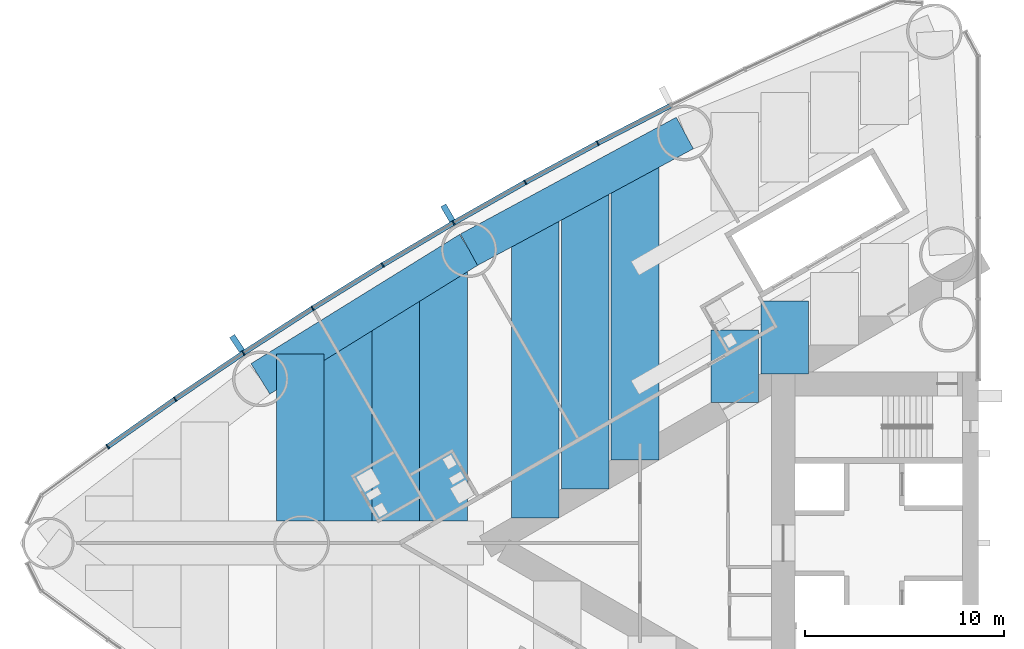
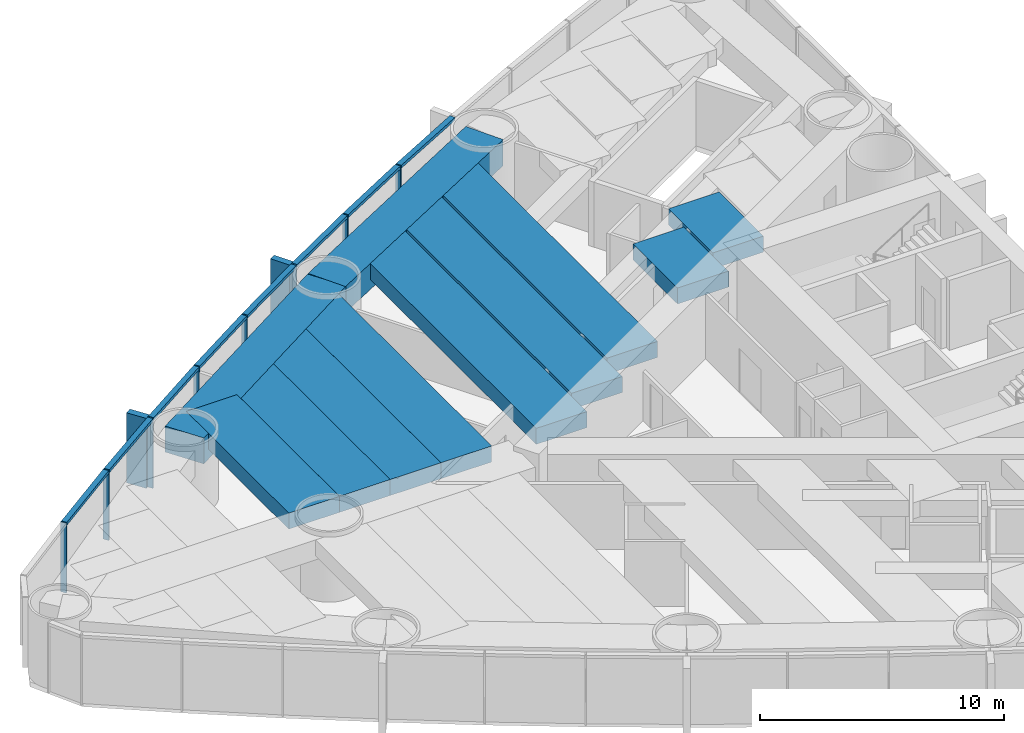
# One storey, part 4 of 19: 18 members, 11 beams, 1 element without a shape of its own.
"""IFC4 building model written with IfcOpenShell, lengths in metres."""

from ifc_helpers import new_model, si_unit, direction, frame, origin, origin_2d, place, context, subcontext, project, spatial, rectangle, extrude, material, material_profile, profile_set, type_object, element, aggregate, save


model = new_model("IFC4")

# Units and contexts
model_context = context("Model", 3, precision=1e-05, world=origin(), true_north=direction((0.0, 1.0)))
body_context = subcontext(model_context, "Body", "Model", "MODEL_VIEW")
ifc_project = project(units=[si_unit("LENGTHUNIT", "METRE"), si_unit("AREAUNIT", "SQUARE_METRE"), si_unit("VOLUMEUNIT", "CUBIC_METRE"), si_unit("PLANEANGLEUNIT", "RADIAN"), si_unit("MASSUNIT", "GRAM", prefix="KILO")], contexts=[model_context])

# Site, building, storey
site_placement = place(None, origin())
site = spatial("IfcSite", under=ifc_project, at=site_placement, CompositionType="ELEMENT")
building_placement = place(site_placement, origin())
building = spatial("IfcBuilding", under=site, at=building_placement, Name="Lancet Gate Hotel", CompositionType="ELEMENT")
storey_placement = place(building_placement, frame((0.0, 0.0, 32.0)))
storey = spatial("IfcBuildingStorey", under=building, at=storey_placement, Name="L07", CompositionType="ELEMENT", Elevation=32.0)

# Curtain wall, members
ifc_material_1 = material(Name="Aluminium curtain wall", Category="aluminium")
curtain_wall_type = type_object("IfcCurtainWallType", Name="Tower unitised curtain wall", PredefinedType="USERDEFINED", material=ifc_material_1)
curtain_wall_placement = place(storey_placement, origin())
curtain_wall = element("IfcCurtainWall", 1, at=curtain_wall_placement, inside=storey, type_object=curtain_wall_type, Name="T1 L07 curtain wall 2", ObjectType="UNITISED CURTAIN WALL", PredefinedType="USERDEFINED")
ifc_material_2 = material(Name="Aluminium mullion", Category="aluminium")
ifc_material_profile_1 = material_profile(ifc_material_2, rectangle(XDim=0.06494140625, YDim=0.25, at=origin_2d()), Name="MULLION 65x250")
ifc_profile_set_1 = profile_set([ifc_material_profile_1], Name="Aluminium mullion")
member_type_1 = type_object("IfcMemberType", Name="Aluminium mullion 65x250", PredefinedType="MULLION", material=ifc_profile_set_1)
member_1_placement = place(storey_placement, frame((-46.6220703125, 20.094970703125, 0.0), z_axis=(0.0, 0.0, 1.0), x_axis=(-0.884311132302, -0.466898084475, 0.0)))
member_1 = element("IfcMember", 2, at=member_1_placement, type_object=member_type_1, Name="T1 L07 curtain wall 2 mullion 6", PredefinedType="MULLION", context=body_context, shape_type="SweptSolid", body=[
    extrude(rectangle(XDim=0.06494140625, YDim=0.25, at=origin_2d()), origin(), (0.0, 0.0, 1.0), 3.5),
])
member_2_placement = place(storey_placement, frame((-50.26416015625, 18.1259765625, 0.0), z_axis=(0.0, 0.0, 1.0), x_axis=(-0.874991035403, -0.484139120464, 0.0)))
member_2 = element("IfcMember", 3, at=member_2_placement, type_object=member_type_1, Name="T1 L07 curtain wall 2 mullion 7", PredefinedType="MULLION", context=body_context, shape_type="SweptSolid", body=[
    extrude(rectangle(XDim=0.06494140625, YDim=0.25, at=origin_2d()), origin(), (0.0, 0.0, 1.0), 3.5),
])
member_3_placement = place(storey_placement, frame((-53.866943359375, 16.086181640625, 0.0), z_axis=(0.0, 0.0, 1.0), x_axis=(-0.86533483912, -0.501194190115, 0.0)))
member_3 = element("IfcMember", 4, at=member_3_placement, type_object=member_type_1, Name="T1 L07 curtain wall 2 mullion 8", PredefinedType="MULLION", context=body_context, shape_type="SweptSolid", body=[
    extrude(rectangle(XDim=0.06494140625, YDim=0.25, at=origin_2d()), origin(), (0.0, 0.0, 1.0), 3.5),
])
member_4_placement = place(storey_placement, frame((-57.42919921875, 13.97607421875, 0.0), z_axis=(0.0, 0.0, 1.0), x_axis=(-0.855346252548, -0.518056742309, 0.0)))
member_4 = element("IfcMember", 5, at=member_4_placement, type_object=member_type_1, Name="T1 L07 curtain wall 2 mullion 9", PredefinedType="MULLION", context=body_context, shape_type="SweptSolid", body=[
    extrude(rectangle(XDim=0.06494140625, YDim=0.25, at=origin_2d()), origin(), (0.0, 0.0, 1.0), 3.5),
])
member_5_placement = place(storey_placement, frame((-60.949462890625, 11.796630859375, 0.0), z_axis=(0.0, 0.0, 1.0), x_axis=(-0.845029112489, -0.534720299827, 0.0)))
member_5 = element("IfcMember", 6, at=member_5_placement, type_object=member_type_1, Name="T1 L07 curtain wall 2 mullion 10", PredefinedType="MULLION", context=body_context, shape_type="SweptSolid", body=[
    extrude(rectangle(XDim=0.06494140625, YDim=0.25, at=origin_2d()), origin(), (0.0, 0.0, 1.0), 3.5),
])
member_6_placement = place(storey_placement, frame((-64.42626953125, 9.548583984375, 0.0), z_axis=(0.0, 0.0, 1.0), x_axis=(-0.834387381945, -0.55117846189, 0.0)))
member_6 = element("IfcMember", 7, at=member_6_placement, type_object=member_type_1, Name="T1 L07 curtain wall 2 mullion 11", PredefinedType="MULLION", context=body_context, shape_type="SweptSolid", body=[
    extrude(rectangle(XDim=0.06494140625, YDim=0.25, at=origin_2d()), origin(), (0.0, 0.0, 1.0), 3.5),
])
member_7_placement = place(storey_placement, frame((-67.858154296875, 7.232666015625, 0.0), z_axis=(0.0, 0.0, 1.0), x_axis=(-0.823425148573, -0.56742490666, 0.0)))
member_7 = element("IfcMember", 8, at=member_7_placement, type_object=member_type_1, Name="T1 L07 curtain wall 2 mullion 12", PredefinedType="MULLION", context=body_context, shape_type="SweptSolid", body=[
    extrude(rectangle(XDim=0.06494140625, YDim=0.25, at=origin_2d()), origin(), (0.0, 0.0, 1.0), 3.5),
])
member_8_placement = place(storey_placement, frame((-71.244384765625, 4.85009765625, 0.0), z_axis=(0.0, 0.0, 1.0), x_axis=(-0.812146623168, -0.583453393578, 0.0)))
member_8 = element("IfcMember", 9, at=member_8_placement, type_object=member_type_1, Name="T1 L07 curtain wall 2 mullion 13", PredefinedType="MULLION", context=body_context, shape_type="SweptSolid", body=[
    extrude(rectangle(XDim=0.06494140625, YDim=0.25, at=origin_2d()), origin(), (0.0, 0.0, 1.0), 3.5),
])
ifc_material_3 = material(Name="Aluminium transom", Category="aluminium")
ifc_material_profile_2 = material_profile(ifc_material_3, rectangle(XDim=0.25, YDim=0.14990234375, at=origin_2d()), Name="TRANSOM 250x150")
ifc_profile_set_2 = profile_set([ifc_material_profile_2], Name="Aluminium transom")
member_type_2 = type_object("IfcMemberType", Name="Aluminium transom 250x150", PredefinedType="USERDEFINED", material=ifc_profile_set_2)
member_9_placement = place(storey_placement, frame((-42.970703125, 21.97705078125, 3.425048828125), z_axis=(-0.888859972399, -0.458178949175, 0.0), x_axis=(0.458178949175, -0.888859972399, 0.0)))
member_9 = element("IfcMember", 10, at=member_9_placement, type_object=member_type_2, Name="T1 L07 curtain wall 2 transom 5", ObjectType="TRANSOM", PredefinedType="USERDEFINED", context=body_context, shape_type="SweptSolid", body=[
    extrude(rectangle(XDim=0.25, YDim=0.14990234375, at=origin_2d()), origin(), (0.0, 0.0, 1.0), 4.0751953125),
])
member_10_placement = place(storey_placement, frame((-46.650634765625, 20.079345703125, 3.425048828125), z_axis=(-0.87971396408, -0.475503250675, 0.0), x_axis=(0.475503250675, -0.87971396408, 0.0)))
member_10 = element("IfcMember", 11, at=member_10_placement, type_object=member_type_2, Name="T1 L07 curtain wall 2 transom 6", ObjectType="TRANSOM", PredefinedType="USERDEFINED", context=body_context, shape_type="SweptSolid", body=[
    extrude(rectangle(XDim=0.25, YDim=0.14990234375, at=origin_2d()), origin(), (0.0, 0.0, 1.0), 4.0751953125),
])
member_11_placement = place(storey_placement, frame((-50.29248046875, 18.110107421875, 3.425048828125), z_axis=(-0.870197729943, -0.492702659625, 0.0), x_axis=(0.492702659625, -0.870197729943, 0.0)))
member_11 = element("IfcMember", 12, at=member_11_placement, type_object=member_type_2, Name="T1 L07 curtain wall 2 transom 7", ObjectType="TRANSOM", PredefinedType="USERDEFINED", context=body_context, shape_type="SweptSolid", body=[
    extrude(rectangle(XDim=0.25, YDim=0.14990234375, at=origin_2d()), origin(), (0.0, 0.0, 1.0), 4.0751953125),
])
member_12_placement = place(storey_placement, frame((-53.89501953125, 16.069580078125, 3.425048828125), z_axis=(-0.86039174806, -0.509633240547, 0.0), x_axis=(0.509633240547, -0.86039174806, 0.0)))
member_12 = element("IfcMember", 13, at=member_12_placement, type_object=member_type_2, Name="T1 L07 curtain wall 2 transom 8", ObjectType="TRANSOM", PredefinedType="USERDEFINED", context=body_context, shape_type="SweptSolid", body=[
    extrude(rectangle(XDim=0.25, YDim=0.14990234375, at=origin_2d()), origin(), (0.0, 0.0, 1.0), 4.0751953125),
])
member_13_placement = place(storey_placement, frame((-57.456787109375, 13.958984375, 3.425048828125), z_axis=(-0.850242165643, -0.526391736032, 0.0), x_axis=(0.526391736032, -0.850242165643, 0.0)))
member_13 = element("IfcMember", 14, at=member_13_placement, type_object=member_type_2, Name="T1 L07 curtain wall 2 transom 9", ObjectType="TRANSOM", PredefinedType="USERDEFINED", context=body_context, shape_type="SweptSolid", body=[
    extrude(rectangle(XDim=0.25, YDim=0.14990234375, at=origin_2d()), origin(), (0.0, 0.0, 1.0), 4.075439453125),
])
member_14_placement = place(storey_placement, frame((-60.976806640625, 11.779052734375, 3.425048828125), z_axis=(-0.839729242404, -0.543005340169, 0.0), x_axis=(0.543005340169, -0.839729242404, 0.0)))
member_14 = element("IfcMember", 15, at=member_14_placement, type_object=member_type_2, Name="T1 L07 curtain wall 2 transom 10", ObjectType="TRANSOM", PredefinedType="USERDEFINED", context=body_context, shape_type="SweptSolid", body=[
    extrude(rectangle(XDim=0.25, YDim=0.14990234375, at=origin_2d()), origin(), (0.0, 0.0, 1.0), 4.0751953125),
])
member_15_placement = place(storey_placement, frame((-64.453125, 9.5302734375, 3.425048828125), z_axis=(-0.828959086782, -0.559309245804, 0.0), x_axis=(0.559309245804, -0.828959086782, 0.0)))
member_15 = element("IfcMember", 16, at=member_15_placement, type_object=member_type_2, Name="T1 L07 curtain wall 2 transom 11", ObjectType="TRANSOM", PredefinedType="USERDEFINED", context=body_context, shape_type="SweptSolid", body=[
    extrude(rectangle(XDim=0.25, YDim=0.14990234375, at=origin_2d()), origin(), (0.0, 0.0, 1.0), 4.0751953125),
])
member_16_placement = place(storey_placement, frame((-67.884765625, 7.214111328125, 3.425048828125), z_axis=(-0.817833568345, -0.57545482402, 0.0), x_axis=(0.57545482402, -0.817833568345, 0.0)))
member_16 = element("IfcMember", 17, at=member_16_placement, type_object=member_type_2, Name="T1 L07 curtain wall 2 transom 12", ObjectType="TRANSOM", PredefinedType="USERDEFINED", context=body_context, shape_type="SweptSolid", body=[
    extrude(rectangle(XDim=0.25, YDim=0.14990234375, at=origin_2d()), origin(), (0.0, 0.0, 1.0), 4.075439453125),
])

# Beams
ifc_material_4 = material(Name="Concrete C50/60", Category="concrete")
ifc_material_profile_3 = material_profile(ifc_material_4, rectangle(XDim=1.800048828125, YDim=1.300048828125, at=origin_2d()), Name="RC 1800x1300")
ifc_profile_set_3 = profile_set([ifc_material_profile_3], Name="Concrete C50/60")
beam_type_1 = type_object("IfcBeamType", Name="Edge beam RC 1800x1300", PredefinedType="SPANDREL", material=ifc_profile_set_3)
for number, where, z_axis, x_axis, name in (
    (18, (-42.2451171875, 20.607421875, 2.60009765625), (-0.879692855603, -0.475542300749, 0.0), (0.475542300749, -0.879692855603, 0.0), "T1 edge beam EB1 L07"),
    (19, (-53.090087890625, 14.744873046875, 2.60009765625), (-0.850225894333, -0.526418016984, 0.0), (0.526418016984, -0.850225894333, 0.0), "T1 edge beam EB1 L07"),
):
    element("IfcBeam", number, at=place(storey_placement, frame(where, z_axis=z_axis, x_axis=x_axis)), inside=storey, type_object=beam_type_1, Name=name, PredefinedType="SPANDREL", context=body_context, shape_type="SweptSolid", body=[
        extrude(rectangle(XDim=1.800048828125, YDim=1.300048828125, at=origin_2d()), origin(), (0.0, 0.0, 1.0), 12.328125),
    ])

# Member
ifc_material_5 = material(Name="Precast concrete C50/60", Category="concrete")
ifc_material_profile_4 = material_profile(ifc_material_5, rectangle(XDim=0.300048828125, YDim=0.89990234375, at=origin_2d()), Name="FIN 300x900")
ifc_profile_set_4 = profile_set([ifc_material_profile_4], Name="Precast concrete C50/60")
member_type_3 = type_object("IfcMemberType", Name="Exposed concrete fin 300x900", PredefinedType="USERDEFINED", material=ifc_profile_set_4)
member_17_placement = place(storey_placement, frame((-54.1552734375, 16.583740234375, 0.0), z_axis=(0.0, 0.0, 1.0), x_axis=(-0.86533483912, -0.501194190115, 0.0)))
member_17 = element("IfcMember", 20, at=member_17_placement, type_object=member_type_3, Name="T1 L07 curtain wall 2 fin 8", ObjectType="FIN", PredefinedType="USERDEFINED", context=body_context, shape_type="SweptSolid", body=[
    extrude(rectangle(XDim=0.300048828125, YDim=0.89990234375, at=origin_2d()), origin(), (0.0, 0.0, 1.0), 3.5),
])

member_18_placement = place(storey_placement, frame((-64.7431640625, 10.0283203125, 0.0), z_axis=(0.0, 0.0, 1.0), x_axis=(-0.834387381945, -0.55117846189, 0.0)))
member_18 = element("IfcMember", 21, at=member_18_placement, type_object=member_type_3, Name="T1 L07 curtain wall 2 fin 11", ObjectType="FIN", PredefinedType="USERDEFINED", context=body_context, shape_type="SweptSolid", body=[
    extrude(rectangle(XDim=0.300048828125, YDim=0.89990234375, at=origin_2d()), origin(), (0.0, 0.0, 1.0), 3.5),
])

aggregate(curtain_wall, [member_1, member_2, member_3, member_17, member_4, member_5, member_6, member_18, member_7, member_8, member_9, member_10, member_11, member_12, member_13, member_14, member_15, member_16])

# Beams
ifc_material_6 = material(Name="Concrete C50/60", Category="concrete")
ifc_material_profile_5 = material_profile(ifc_material_6, rectangle(XDim=2.39990234375, YDim=0.800048828125, at=origin_2d()), Name="RC 2400x800")
ifc_profile_set_5 = profile_set([ifc_material_profile_5], Name="Concrete C50/60")
beam_type_2 = type_object("IfcBeamType", Name="Floor beam RC 2400x800", PredefinedType="BEAM", material=ifc_profile_set_5)
beam_1_placement = place(storey_placement, frame((-44.747802734375, 19.254638671875, 2.85009765625), z_axis=(0.0, -1.0, 0.0), x_axis=(1.0, 0.0, 0.0)))
element("IfcBeam", 22, at=beam_1_placement, inside=storey, type_object=beam_type_2, Name="T1 floor beam F09S L07", PredefinedType="BEAM", context=body_context, shape_type="SweptSolid", body=[
    extrude(rectangle(XDim=2.39990234375, YDim=0.800048828125, at=origin_2d()), origin(), (0.0, 0.0, 1.0), 15.0859375),
])
beam_2_placement = place(storey_placement, frame((-47.254638671875, 17.8994140625, 2.85009765625), z_axis=(0.0, -1.0, 0.0), x_axis=(1.0, 0.0, 0.0)))
element("IfcBeam", 23, at=beam_2_placement, inside=storey, type_object=beam_type_2, Name="T1 floor beam F10S L07", PredefinedType="BEAM", context=body_context, shape_type="SweptSolid", body=[
    extrude(rectangle(XDim=2.39990234375, YDim=0.800048828125, at=origin_2d()), origin(), (0.0, 0.0, 1.0), 15.177978515625),
])
beam_3_placement = place(storey_placement, frame((-49.761474609375, 16.54443359375, 2.85009765625), z_axis=(0.0, -1.0, 0.0), x_axis=(1.0, 0.0, 0.0)))
element("IfcBeam", 24, at=beam_3_placement, inside=storey, type_object=beam_type_2, Name="T1 floor beam F12S L07", PredefinedType="BEAM", context=body_context, shape_type="SweptSolid", body=[
    extrude(rectangle(XDim=2.39990234375, YDim=0.800048828125, at=origin_2d()), origin(), (0.0, 0.0, 1.0), 15.270263671875),
])
beam_4_placement = place(storey_placement, frame((-54.3681640625, 13.95361328125, 2.85009765625), z_axis=(0.0, -1.0, 0.0), x_axis=(1.0, 0.0, 0.0)))
element("IfcBeam", 25, at=beam_4_placement, inside=storey, type_object=beam_type_2, Name="T1 floor beam F13S L07", PredefinedType="BEAM", context=body_context, shape_type="SweptSolid", body=[
    extrude(rectangle(XDim=2.39990234375, YDim=0.800048828125, at=origin_2d()), origin(), (0.0, 0.0, 1.0), 12.853515625),
])
beam_5_placement = place(storey_placement, frame((-56.768310546875, 12.467529296875, 2.85009765625), z_axis=(0.0, -1.0, 0.0), x_axis=(1.0, 0.0, 0.0)))
element("IfcBeam", 26, at=beam_5_placement, inside=storey, type_object=beam_type_2, Name="T1 floor beam F15S L07", PredefinedType="BEAM", context=body_context, shape_type="SweptSolid", body=[
    extrude(rectangle(XDim=2.39990234375, YDim=0.800048828125, at=origin_2d()), origin(), (0.0, 0.0, 1.0), 11.367431640625),
])
beam_6_placement = place(storey_placement, frame((-59.168212890625, 10.981689453125, 2.85009765625), z_axis=(0.0, -1.0, 0.0), x_axis=(1.0, 0.0, 0.0)))
element("IfcBeam", 27, at=beam_6_placement, inside=storey, type_object=beam_type_2, Name="T1 floor beam F17S L07", PredefinedType="BEAM", context=body_context, shape_type="SweptSolid", body=[
    extrude(rectangle(XDim=2.39990234375, YDim=0.800048828125, at=origin_2d()), origin(), (0.0, 0.0, 1.0), 9.881591796875),
])
beam_7_placement = place(storey_placement, frame((-61.568359375, 9.495849609375, 2.85009765625), z_axis=(0.0, -1.0, 0.0), x_axis=(1.0, 0.0, 0.0)))
element("IfcBeam", 28, at=beam_7_placement, inside=storey, type_object=beam_type_2, Name="T1 floor beam F19S L07", PredefinedType="BEAM", context=body_context, shape_type="SweptSolid", body=[
    extrude(rectangle(XDim=2.39990234375, YDim=0.800048828125, at=origin_2d()), origin(), (0.0, 0.0, 1.0), 8.395751953125),
])
beam_8_placement = place(storey_placement, frame((-37.227294921875, 12.15625, 2.85009765625), z_axis=(0.0, -1.0, 0.0), x_axis=(1.0, 0.0, 0.0)))
element("IfcBeam", 29, at=beam_8_placement, inside=storey, type_object=beam_type_2, Name="T1 floor beam F05SB L07", PredefinedType="BEAM", context=body_context, shape_type="SweptSolid", body=[
    extrude(rectangle(XDim=2.39990234375, YDim=0.800048828125, at=origin_2d()), origin(), (0.0, 0.0, 1.0), 3.6455078125),
])
beam_9_placement = place(storey_placement, frame((-39.734130859375, 10.708740234375, 2.85009765625), z_axis=(0.0, -1.0, 0.0), x_axis=(1.0, 0.0, 0.0)))
element("IfcBeam", 30, at=beam_9_placement, inside=storey, type_object=beam_type_2, Name="T1 floor beam F07SB L07", PredefinedType="BEAM", context=body_context, shape_type="SweptSolid", body=[
    extrude(rectangle(XDim=2.39990234375, YDim=0.800048828125, at=origin_2d()), origin(), (0.0, 0.0, 1.0), 3.645263671875),
])

save(model, "model.ifc")
